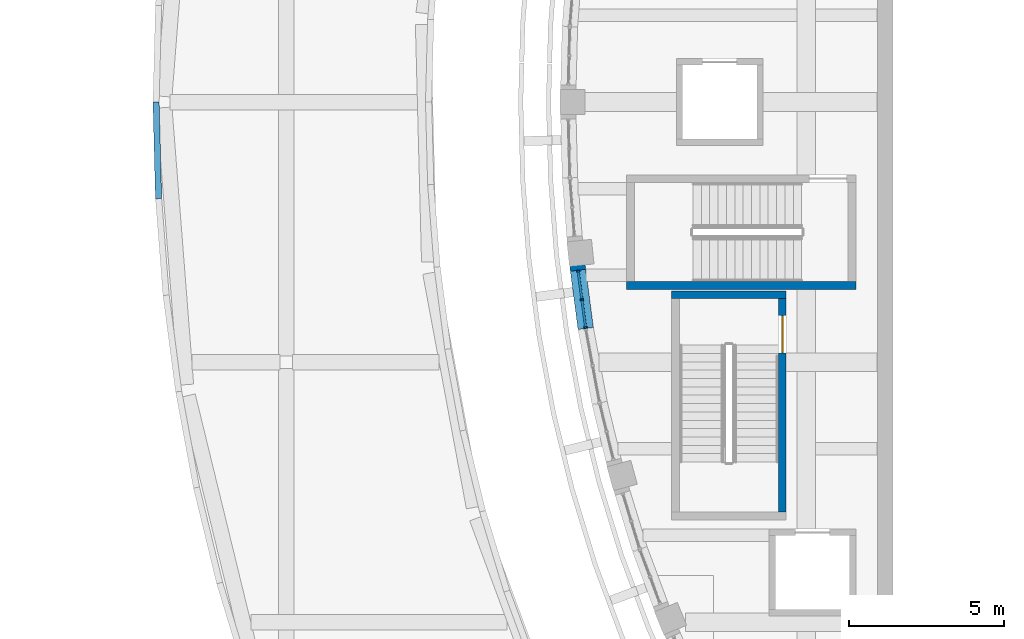
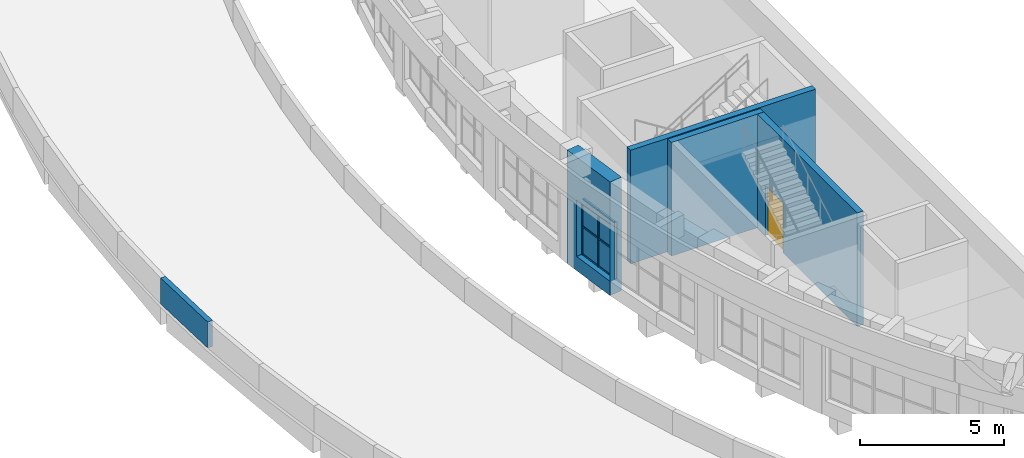
# One storey, part 20 of 79: 9 members, 5 walls, 4 plates, 1 door, 2 openings, 1 element without a shape of its own.
"""IFC4 building model written with IfcOpenShell, lengths in metres."""

from ifc_helpers import new_model, si_unit, direction, frame, frame_2d, origin, origin_2d, place, context, subcontext, project, spatial, rectangle, extrude, material, layer, layer_set, material_profile, profile_set, type_object, element, fill, aggregate, save


model = new_model("IFC4")

# Units and contexts
model_context = context("Model", 3, precision=1e-05, world=origin(), true_north=direction((0.0, 1.0)))
body_context = subcontext(model_context, "Body", "Model", "MODEL_VIEW")
ifc_project = project(units=[si_unit("LENGTHUNIT", "METRE"), si_unit("AREAUNIT", "SQUARE_METRE"), si_unit("VOLUMEUNIT", "CUBIC_METRE"), si_unit("PLANEANGLEUNIT", "RADIAN"), si_unit("MASSUNIT", "GRAM", prefix="KILO")], contexts=[model_context])

# Site, building, storey
site_placement = place(None, origin())
site = spatial("IfcSite", under=ifc_project, at=site_placement, CompositionType="ELEMENT")
building_placement = place(site_placement, origin())
building = spatial("IfcBuilding", under=site, at=building_placement, Name="Larchfold Concert Hall", CompositionType="ELEMENT")
storey_placement = place(building_placement, frame((0.0, 0.0, 14.39990234375)))
storey = spatial("IfcBuildingStorey", under=building, at=storey_placement, Name="L03", CompositionType="ELEMENT", Elevation=14.39990234375)

# Curtain wall, members, plates
ifc_material_1 = material(Name="Anodised graphite aluminium curtain wall", Category="aluminium")
ifc_layer_1 = layer(ifc_material_1, 0.10009765625)
ifc_layer_set_1 = layer_set([ifc_layer_1], Name="Anodised graphite aluminium curtain wall")
curtain_wall_type = type_object("IfcCurtainWallType", Name="Curtain wall GB", PredefinedType="NOTDEFINED", material=ifc_layer_set_1)
curtain_wall_placement = place(storey_placement, origin())
curtain_wall = element("IfcCurtainWall", 1, at=curtain_wall_placement, inside=storey, type_object=curtain_wall_type, Name="Curtain wall CW0041", PredefinedType="NOTDEFINED")
ifc_material_2 = material(Name="Anodised graphite aluminium mullion", Category="aluminium")
ifc_material_profile_1 = material_profile(ifc_material_2, rectangle(XDim=0.10009765625, YDim=0.06005859375, at=origin_2d()))
ifc_profile_set_1 = profile_set([ifc_material_profile_1], Name="Anodised graphite aluminium mullion")
member_type_1 = type_object("IfcMemberType", Name="Aluminium mullion 60x100", PredefinedType="MULLION", material=ifc_profile_set_1)
member_1_placement = place(storey_placement, frame((18.430419921875, 79.135009765625, 0.60009765625), z_axis=(0.0, 0.0, 1.0), x_axis=(0.991447729865, 0.130504402017, 0.0)))
member_1 = element("IfcMember", 2, at=member_1_placement, type_object=member_type_1, Name="CW0041 mullion 1", PredefinedType="MULLION", context=body_context, shape_type="SweptSolid", body=[
    extrude(rectangle(XDim=0.10009765625, YDim=0.06005859375, at=origin_2d()), origin(), (0.0, 0.0, 1.0), 2.39990234375),
])
member_2_placement = place(storey_placement, frame((18.55029296875, 78.223388671875, 0.60009765625), z_axis=(0.0, 0.0, 1.0), x_axis=(0.991447729865, 0.130504402017, 0.0)))
member_2 = element("IfcMember", 3, at=member_2_placement, type_object=member_type_1, Name="CW0041 mullion 2", PredefinedType="MULLION", context=body_context, shape_type="SweptSolid", body=[
    extrude(rectangle(XDim=0.10009765625, YDim=0.06005859375, at=origin_2d()), origin(), (0.0, 0.0, 1.0), 2.39990234375),
])
member_3_placement = place(storey_placement, frame((18.67041015625, 77.31201171875, 0.60009765625), z_axis=(0.0, 0.0, 1.0), x_axis=(0.991447729865, 0.130504402017, 0.0)))
member_3 = element("IfcMember", 4, at=member_3_placement, type_object=member_type_1, Name="CW0041 mullion 3", PredefinedType="MULLION", context=body_context, shape_type="SweptSolid", body=[
    extrude(rectangle(XDim=0.10009765625, YDim=0.06005859375, at=origin_2d()), origin(), (0.0, 0.0, 1.0), 2.39990234375),
])
ifc_material_3 = material(Name="Anodised graphite aluminium transom", Category="aluminium")
ifc_material_profile_2 = material_profile(ifc_material_3, rectangle(XDim=0.080078125, YDim=0.06005859375, at=origin_2d()))
ifc_profile_set_2 = profile_set([ifc_material_profile_2], Name="Anodised graphite aluminium transom")
member_type_2 = type_object("IfcMemberType", Name="Aluminium transom 60x80", PredefinedType="USERDEFINED", material=ifc_profile_set_2)
member_4_placement = place(storey_placement, frame((18.434326171875, 79.105224609375, 0.630126953125), z_axis=(0.130395722479, -0.991462029308, 0.0), x_axis=(0.991462029308, 0.130395722479, 0.0)))
member_4 = element("IfcMember", 5, at=member_4_placement, type_object=member_type_2, Name="CW0041 transom 1.1", ObjectType="TRANSOM", PredefinedType="USERDEFINED", context=body_context, shape_type="SweptSolid", body=[
    extrude(rectangle(XDim=0.080078125, YDim=0.06005859375, at=origin_2d()), origin(), (0.0, 0.0, 1.0), 0.859375),
])
member_5_placement = place(storey_placement, frame((18.434326171875, 79.105224609375, 1.800048828125), z_axis=(0.130395722479, -0.991462029308, 0.0), x_axis=(0.991462029308, 0.130395722479, 0.0)))
member_5 = element("IfcMember", 6, at=member_5_placement, type_object=member_type_2, Name="CW0041 transom 1.2", ObjectType="TRANSOM", PredefinedType="USERDEFINED", context=body_context, shape_type="SweptSolid", body=[
    extrude(rectangle(XDim=0.080078125, YDim=0.06005859375, at=origin_2d()), origin(), (0.0, 0.0, 1.0), 0.859375),
])
member_6_placement = place(storey_placement, frame((18.434326171875, 79.105224609375, 2.969970703125), z_axis=(0.130395722479, -0.991462029308, 0.0), x_axis=(0.991462029308, 0.130395722479, 0.0)))
member_6 = element("IfcMember", 7, at=member_6_placement, type_object=member_type_2, Name="CW0041 transom 1.3", ObjectType="TRANSOM", PredefinedType="USERDEFINED", context=body_context, shape_type="SweptSolid", body=[
    extrude(rectangle(XDim=0.080078125, YDim=0.06005859375, at=origin_2d()), origin(), (0.0, 0.0, 1.0), 0.859375),
])
member_7_placement = place(storey_placement, frame((18.554443359375, 78.19384765625, 0.630126953125), z_axis=(0.130395722479, -0.991462029308, 0.0), x_axis=(0.991462029308, 0.130395722479, 0.0)))
member_7 = element("IfcMember", 8, at=member_7_placement, type_object=member_type_2, Name="CW0041 transom 2.1", ObjectType="TRANSOM", PredefinedType="USERDEFINED", context=body_context, shape_type="SweptSolid", body=[
    extrude(rectangle(XDim=0.080078125, YDim=0.06005859375, at=origin_2d()), origin(), (0.0, 0.0, 1.0), 0.859375),
])
member_8_placement = place(storey_placement, frame((18.554443359375, 78.19384765625, 1.800048828125), z_axis=(0.130395722479, -0.991462029308, 0.0), x_axis=(0.991462029308, 0.130395722479, 0.0)))
member_8 = element("IfcMember", 9, at=member_8_placement, type_object=member_type_2, Name="CW0041 transom 2.2", ObjectType="TRANSOM", PredefinedType="USERDEFINED", context=body_context, shape_type="SweptSolid", body=[
    extrude(rectangle(XDim=0.080078125, YDim=0.06005859375, at=origin_2d()), origin(), (0.0, 0.0, 1.0), 0.859375),
])
member_9_placement = place(storey_placement, frame((18.554443359375, 78.19384765625, 2.969970703125), z_axis=(0.130395722479, -0.991462029308, 0.0), x_axis=(0.991462029308, 0.130395722479, 0.0)))
member_9 = element("IfcMember", 10, at=member_9_placement, type_object=member_type_2, Name="CW0041 transom 2.3", ObjectType="TRANSOM", PredefinedType="USERDEFINED", context=body_context, shape_type="SweptSolid", body=[
    extrude(rectangle(XDim=0.080078125, YDim=0.06005859375, at=origin_2d()), origin(), (0.0, 0.0, 1.0), 0.859375),
])
ifc_material_4 = material(Name="Insulated glazing unit, glass", Category="glass")
ifc_layer_2 = layer(ifc_material_4, 0.02392578125)
ifc_layer_set_2 = layer_set([ifc_layer_2], Name="Insulated glazing unit, glass")
plate_type_1 = type_object("IfcPlateType", Name="Glass panel 24", PredefinedType="CURTAIN_PANEL", material=ifc_layer_set_2)
plate_1_placement = place(storey_placement, frame((18.490478515625, 78.67919921875, 1.830078125), z_axis=(0.0, 0.0, 1.0), x_axis=(0.130504402017, -0.991447729865, 0.0)))
plate_1 = element("IfcPlate", 11, at=plate_1_placement, type_object=plate_type_1, Name="CW0041 panel 1.2", PredefinedType="CURTAIN_PANEL", context=body_context, shape_type="SweptSolid", body=[
    extrude(rectangle(XDim=0.859375, YDim=0.02392578125, at=origin_2d()), origin(), (0.0, 0.0, 1.0), 1.10986328125),
])
plate_2_placement = place(storey_placement, frame((18.6103515625, 77.767822265625, 1.830078125), z_axis=(0.0, 0.0, 1.0), x_axis=(0.130504402017, -0.991447729865, 0.0)))
plate_2 = element("IfcPlate", 12, at=plate_2_placement, type_object=plate_type_1, Name="CW0041 panel 2.2", PredefinedType="CURTAIN_PANEL", context=body_context, shape_type="SweptSolid", body=[
    extrude(rectangle(XDim=0.859375, YDim=0.02392578125, at=origin_2d()), origin(), (0.0, 0.0, 1.0), 1.10986328125),
])
ifc_material_5 = material(Name="White insulated panel")
ifc_layer_3 = layer(ifc_material_5, 0.050048828125)
ifc_layer_set_3 = layer_set([ifc_layer_3], Name="White insulated panel")
plate_type_2 = type_object("IfcPlateType", Name="Insulated spandrel panel 50", PredefinedType="CURTAIN_PANEL", material=ifc_layer_set_3)
plate_3_placement = place(storey_placement, frame((18.490478515625, 78.67919921875, 0.66015625), z_axis=(0.0, 0.0, 1.0), x_axis=(0.130504402017, -0.991447729865, 0.0)))
plate_3 = element("IfcPlate", 13, at=plate_3_placement, type_object=plate_type_2, Name="CW0041 panel 1.1", PredefinedType="CURTAIN_PANEL", context=body_context, shape_type="SweptSolid", body=[
    extrude(rectangle(XDim=0.859375, YDim=0.050048828125, at=origin_2d()), origin(), (0.0, 0.0, 1.0), 1.10986328125),
])
plate_4_placement = place(storey_placement, frame((18.6103515625, 77.767822265625, 0.66015625), z_axis=(0.0, 0.0, 1.0), x_axis=(0.130504402017, -0.991447729865, 0.0)))
plate_4 = element("IfcPlate", 14, at=plate_4_placement, type_object=plate_type_2, Name="CW0041 panel 2.1", PredefinedType="CURTAIN_PANEL", context=body_context, shape_type="SweptSolid", body=[
    extrude(rectangle(XDim=0.859375, YDim=0.050048828125, at=origin_2d()), origin(), (0.0, 0.0, 1.0), 1.10986328125),
])
aggregate(curtain_wall, [member_1, member_2, member_3, member_4, member_5, member_6, plate_3, plate_1, member_7, member_8, member_9, plate_4, plate_2])

# Walls
ifc_material_6 = material(Name="White render on insulated block")
ifc_layer_4 = layer(ifc_material_6, 0.199951171875)
ifc_layer_set_4 = layer_set([ifc_layer_4], Name="White render on insulated block")
wall_type_1 = type_object("IfcWallType", Name="Roof parapet 200", PredefinedType="PARAPET", material=ifc_layer_set_4)
wall_1_placement = place(storey_placement, frame((4.79541015625, 84.597412109375, 0.0), z_axis=(0.0, 0.0, 1.0), x_axis=(0.025889136645, -0.999664820129, 0.0)))
element("IfcWall", 15, at=wall_1_placement, inside=storey, type_object=wall_type_1, Name="Parapet PW0062", PredefinedType="PARAPET", context=body_context, shape_type="SweptSolid", body=[
    extrude(rectangle(XDim=3.121337890625, YDim=0.199951171875, at=frame_2d((1.560546875, 0.0))), origin(), (0.0, 0.0, 1.0), 1.10009765625),
])
ifc_material_7 = material(Name="Concrete C40/50", Category="concrete")
ifc_layer_5 = layer(ifc_material_7, 0.25)
ifc_layer_set_5 = layer_set([ifc_layer_5], Name="Concrete C40/50")
wall_type_2 = type_object("IfcWallType", Name="Wall RC 250 stair core", PredefinedType="SOLIDWALL", material=ifc_layer_set_5)
wall_2_placement = place(storey_placement, frame((21.449951171875, 78.375, 0.0), z_axis=(0.0, 0.0, 1.0), x_axis=(1.0, 0.0, 0.0)))
element("IfcWall", 16, at=wall_2_placement, inside=storey, type_object=wall_type_2, Name="Wall W0047", PredefinedType="SOLIDWALL", context=body_context, shape_type="SweptSolid", body=[
    extrude(rectangle(XDim=3.699951171875, YDim=0.25, at=frame_2d((1.85009765625, 0.0))), origin(), (0.0, 0.0, 1.0), 4.800048828125),
])

# Wall, opening, door
wall_3_placement = place(storey_placement, frame((25.02490234375, 71.35009765625, 0.0), z_axis=(0.0, 0.0, 1.0), x_axis=(0.0, 1.0, 0.0)))
wall_3 = element("IfcWall", 17, at=wall_3_placement, inside=storey, type_object=wall_type_2, Name="Wall W0049", PredefinedType="SOLIDWALL", context=body_context, shape_type="SweptSolid", body=[
    extrude(rectangle(XDim=6.89990234375, YDim=0.25, at=frame_2d((3.449951171875, 0.0))), origin(), (0.0, 0.0, 1.0), 4.800048828125),
])
opening_1_placement = place(wall_3_placement, frame((5.14990234375, 0.0, 0.0)))
opening_1 = element("IfcOpeningElement", 18, at=opening_1_placement, cuts=wall_3, Name="Opening D-L03-129", PredefinedType="OPENING", context=body_context, shape_type="SweptSolid", body=[
    extrude(rectangle(XDim=1.199951171875, YDim=2.10009765625, at=frame_2d((0.60009765625, 1.050048828125))), frame((0.0, 0.135009765625, 0.0), z_axis=(0.0, -1.0, 0.0), x_axis=(1.0, 0.0, 0.0)), (0.0, 0.0, 1.0), 0.27001953125),
])
ifc_material_8 = material(Name="Timber door leaf", Category="wood")
door_type = type_object("IfcDoorType", Name="Stair enclosure door pair 1200 x 2100 FD60", OperationType="SINGLE_SWING_LEFT", PredefinedType="DOOR", material=ifc_material_8)
door_placement = place(opening_1_placement, origin())
door = element("IfcDoor", 19, at=door_placement, inside=storey, type_object=door_type, Name="Door D-L03-129", OperationType="DOUBLE_DOOR_SINGLE_SWING", OverallHeight=2.10009765625, OverallWidth=1.199951171875, PredefinedType="DOOR", context=body_context, shape_type="SweptSolid", body=[
    extrude(rectangle(XDim=1.199951171875, YDim=2.10009765625, at=frame_2d((0.60009765625, 1.050048828125))), frame((0.0, 0.02490234375, 0.0), z_axis=(0.0, -1.0, 0.0), x_axis=(1.0, 0.0, 0.0)), (0.0, 0.0, 1.0), 0.050048828125),
])
fill(opening_1, door)

# Wall
wall_4_placement = place(storey_placement, frame((20.0, 78.675048828125, 0.0), z_axis=(0.0, 0.0, 1.0), x_axis=(1.0, 0.0, 0.0)))
element("IfcWall", 20, at=wall_4_placement, inside=storey, type_object=wall_type_2, Name="Wall W0054", PredefinedType="SOLIDWALL", context=body_context, shape_type="SweptSolid", body=[
    extrude(rectangle(XDim=7.39990234375, YDim=0.25, at=frame_2d((3.699951171875, 0.0))), origin(), (0.0, 0.0, 1.0), 4.800048828125),
])

# Wall, opening
ifc_material_9 = material(Name="Concrete C30/37", Category="concrete")
ifc_layer_6 = layer(ifc_material_9, 0.5)
ifc_layer_set_6 = layer_set([ifc_layer_6], Name="Concrete C30/37")
wall_type_3 = type_object("IfcWallType", Name="Wall RC 500 drum facade", PredefinedType="SOLIDWALL", material=ifc_layer_set_6)
wall_5_placement = place(storey_placement, frame((18.354736328125, 79.710205078125, 0.0), z_axis=(0.0, 0.0, 1.0), x_axis=(0.130498353005, -0.991448526078, 0.0)))
wall_5 = element("IfcWall", 21, at=wall_5_placement, inside=storey, type_object=wall_type_3, Name="Wall DW041", PredefinedType="SOLIDWALL", context=body_context, shape_type="SweptSolid", body=[
    extrude(rectangle(XDim=2.448974609375, YDim=0.5, at=frame_2d((1.224609375, 0.0))), origin(), (0.0, 0.0, 1.0), 4.800048828125),
])
opening_2_placement = place(wall_5_placement, frame((0.550048828125, 0.0, 0.60009765625)))
opening_2 = element("IfcOpeningElement", 22, at=opening_2_placement, cuts=wall_5, Name="Opening CW0041", PredefinedType="OPENING", context=body_context, shape_type="SweptSolid", body=[
    extrude(rectangle(XDim=1.89892578125, YDim=2.39990234375, at=frame_2d((0.949462890625, 1.199951171875))), frame((0.0, 0.260009765625, 0.0), z_axis=(0.0, -1.0, 0.0), x_axis=(1.0, 0.0, 0.0)), (0.0, 0.0, 1.0), 0.52001953125),
])

fill(opening_2, curtain_wall)

save(model, "model.ifc")
